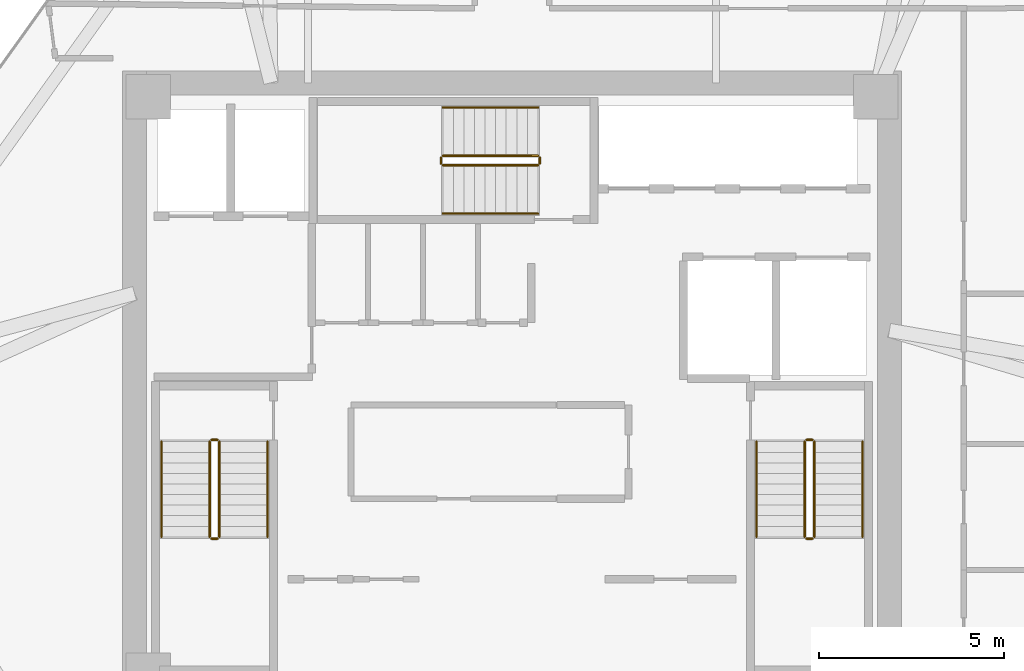
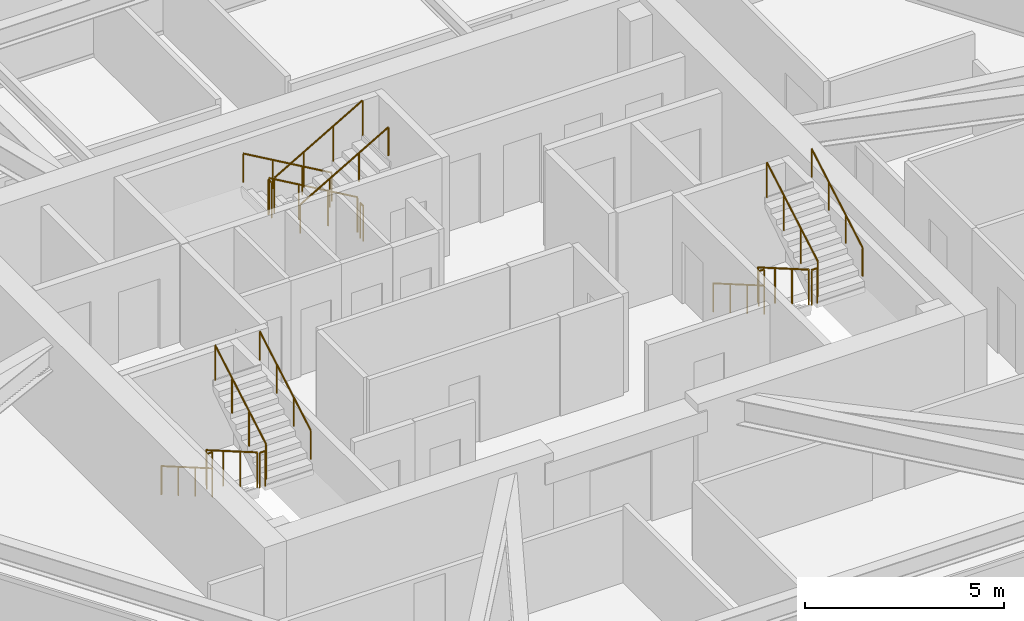
# One storey, part 13 of 13: 18 railings.
"""IFC4 building model written with IfcOpenShell, lengths in metres."""

from ifc_helpers import new_model, si_unit, direction, frame, origin, origin_2d, place, context, subcontext, project, spatial, circle, extrude, material, type_object, element, save


model = new_model("IFC4")

# Units and contexts
model_context = context("Model", 3, precision=1e-05, world=origin(), true_north=direction((0.0, 1.0)))
body_context = subcontext(model_context, "Body", "Model", "MODEL_VIEW")
ifc_project = project(units=[si_unit("LENGTHUNIT", "METRE"), si_unit("AREAUNIT", "SQUARE_METRE"), si_unit("VOLUMEUNIT", "CUBIC_METRE"), si_unit("PLANEANGLEUNIT", "RADIAN"), si_unit("MASSUNIT", "GRAM", prefix="KILO")], contexts=[model_context])

# Site, building, storey
site_placement = place(None, origin())
site = spatial("IfcSite", under=ifc_project, at=site_placement, CompositionType="ELEMENT")
building_placement = place(site_placement, origin())
building = spatial("IfcBuilding", under=site, at=building_placement, Name="Durnholm Broadcast Tower", CompositionType="ELEMENT")
storey_placement = place(building_placement, frame((0.0, 0.0, 167.199951171875)))
storey = spatial("IfcBuildingStorey", under=building, at=storey_placement, Name="L45", CompositionType="ELEMENT", Elevation=167.199951171875)

# Railings
ifc_material_1 = material(Name="Painted Tubular Steel Stair Guardrail", Category="steel")
railing_type_1 = type_object("IfcRailingType", Name="RAIL-ST-GRD", PredefinedType="GUARDRAIL", material=ifc_material_1)
railing_1_placement = place(storey_placement, frame((-8.14990234375, -1.5, 0.1650390625)))
element("IfcRailing", 1, at=railing_1_placement, inside=storey, type_object=railing_type_1, Name="L45 ST-1 stair guard 1", PredefinedType="GUARDRAIL", context=body_context, shape_type="SweptSolid", body=[
    extrude(circle(Radius=0.02392578125, at=origin_2d()), frame((0.0, 0.0, 1.076171875), z_axis=(0.0, -0.865405606168, 0.501071987656), x_axis=(1.0, 0.0, 0.0)), (0.0, 0.0, 1.0), 2.9638671875),
    extrude(circle(Radius=0.02099609375, at=origin_2d()), origin(), (0.0, 0.0, 1.0), 1.052001953125),
    extrude(circle(Radius=0.02099609375, at=origin_2d()), frame((0.0, -0.85498046875, 0.4951171875)), (0.0, 0.0, 1.0), 1.052001953125),
    extrude(circle(Radius=0.02099609375, at=origin_2d()), frame((0.0, -1.7099609375, 0.989990234375)), (0.0, 0.0, 1.0), 1.052001953125),
    extrude(circle(Radius=0.02099609375, at=origin_2d()), frame((0.0, -2.56494140625, 1.485107421875)), (0.0, 0.0, 1.0), 1.052001953125),
])
railing_2_placement = place(storey_placement, frame((-8.10009765625, -4.114990234375, 1.650146484375)))
element("IfcRailing", 2, at=railing_2_placement, inside=storey, type_object=railing_type_1, Name="L45 ST-1 stair guard 2", PredefinedType="GUARDRAIL", context=body_context, shape_type="SweptSolid", body=[
    extrude(circle(Radius=0.02392578125, at=origin_2d()), frame((0.0, 0.0, 1.076171875), z_axis=(1.0, 0.0, 0.0), x_axis=(0.0, 1.0, 0.0)), (0.0, 0.0, 1.0), 0.16015625),
    extrude(circle(Radius=0.02099609375, at=origin_2d()), origin(), (0.0, 0.0, 1.0), 1.052001953125),
    extrude(circle(Radius=0.02099609375, at=origin_2d()), frame((0.16015625, 0.0, 0.0)), (0.0, 0.0, 1.0), 1.052001953125),
])
railing_3_placement = place(storey_placement, frame((-7.889892578125, -4.06494140625, 1.81494140625)))
element("IfcRailing", 3, at=railing_3_placement, inside=storey, type_object=railing_type_1, Name="L45 ST-1 stair guard 3", PredefinedType="GUARDRAIL", context=body_context, shape_type="SweptSolid", body=[
    extrude(circle(Radius=0.02392578125, at=origin_2d()), frame((0.0, 0.0, 1.076171875), z_axis=(0.0, 0.865405606168, 0.501071987656), x_axis=(-1.0, 0.0, 0.0)), (0.0, 0.0, 1.0), 2.9638671875),
    extrude(circle(Radius=0.02099609375, at=origin_2d()), origin(), (0.0, 0.0, 1.0), 1.052001953125),
    extrude(circle(Radius=0.02099609375, at=origin_2d()), frame((0.0, 0.85498046875, 0.4951171875)), (0.0, 0.0, 1.0), 1.052001953125),
    extrude(circle(Radius=0.02099609375, at=origin_2d()), frame((0.0, 1.7099609375, 0.989990234375)), (0.0, 0.0, 1.0), 1.052001953125),
    extrude(circle(Radius=0.02099609375, at=origin_2d()), frame((0.0, 2.56494140625, 1.485107421875)), (0.0, 0.0, 1.0), 1.052001953125),
])
railing_4_placement = place(storey_placement, frame((-8.10009765625, -1.449951171875, 0.0)))
element("IfcRailing", 4, at=railing_4_placement, inside=storey, type_object=railing_type_1, Name="L45 ST-1 stair guard 4", PredefinedType="GUARDRAIL", context=body_context, shape_type="SweptSolid", body=[
    extrude(circle(Radius=0.02392578125, at=origin_2d()), frame((0.0, 0.0, 1.076171875), z_axis=(1.0, 0.0, 0.0), x_axis=(0.0, 1.0, 0.0)), (0.0, 0.0, 1.0), 0.16015625),
    extrude(circle(Radius=0.02099609375, at=origin_2d()), origin(), (0.0, 0.0, 1.0), 1.052001953125),
    extrude(circle(Radius=0.02099609375, at=origin_2d()), frame((0.16015625, 0.0, 0.0)), (0.0, 0.0, 1.0), 1.052001953125),
])
railing_5_placement = place(storey_placement, frame((7.889892578125, -1.5, 0.1650390625)))
element("IfcRailing", 5, at=railing_5_placement, inside=storey, type_object=railing_type_1, Name="L45 ST-2 stair guard 1", PredefinedType="GUARDRAIL", context=body_context, shape_type="SweptSolid", body=[
    extrude(circle(Radius=0.02392578125, at=origin_2d()), frame((0.0, 0.0, 1.076171875), z_axis=(0.0, -0.865405606168, 0.501071987656), x_axis=(1.0, 0.0, 0.0)), (0.0, 0.0, 1.0), 2.9638671875),
    extrude(circle(Radius=0.02099609375, at=origin_2d()), origin(), (0.0, 0.0, 1.0), 1.052001953125),
    extrude(circle(Radius=0.02099609375, at=origin_2d()), frame((0.0, -0.85498046875, 0.4951171875)), (0.0, 0.0, 1.0), 1.052001953125),
    extrude(circle(Radius=0.02099609375, at=origin_2d()), frame((0.0, -1.7099609375, 0.989990234375)), (0.0, 0.0, 1.0), 1.052001953125),
    extrude(circle(Radius=0.02099609375, at=origin_2d()), frame((0.0, -2.56494140625, 1.485107421875)), (0.0, 0.0, 1.0), 1.052001953125),
])
railing_6_placement = place(storey_placement, frame((7.93994140625, -4.114990234375, 1.650146484375)))
element("IfcRailing", 6, at=railing_6_placement, inside=storey, type_object=railing_type_1, Name="L45 ST-2 stair guard 2", PredefinedType="GUARDRAIL", context=body_context, shape_type="SweptSolid", body=[
    extrude(circle(Radius=0.02392578125, at=origin_2d()), frame((0.0, 0.0, 1.076171875), z_axis=(1.0, 0.0, 0.0), x_axis=(0.0, 1.0, 0.0)), (0.0, 0.0, 1.0), 0.16015625),
    extrude(circle(Radius=0.02099609375, at=origin_2d()), origin(), (0.0, 0.0, 1.0), 1.052001953125),
    extrude(circle(Radius=0.02099609375, at=origin_2d()), frame((0.16015625, 0.0, 0.0)), (0.0, 0.0, 1.0), 1.052001953125),
])
railing_7_placement = place(storey_placement, frame((8.14990234375, -4.06494140625, 1.81494140625)))
element("IfcRailing", 7, at=railing_7_placement, inside=storey, type_object=railing_type_1, Name="L45 ST-2 stair guard 3", PredefinedType="GUARDRAIL", context=body_context, shape_type="SweptSolid", body=[
    extrude(circle(Radius=0.02392578125, at=origin_2d()), frame((0.0, 0.0, 1.076171875), z_axis=(0.0, 0.865405606168, 0.501071987656), x_axis=(-1.0, 0.0, 0.0)), (0.0, 0.0, 1.0), 2.9638671875),
    extrude(circle(Radius=0.02099609375, at=origin_2d()), origin(), (0.0, 0.0, 1.0), 1.052001953125),
    extrude(circle(Radius=0.02099609375, at=origin_2d()), frame((0.0, 0.85498046875, 0.4951171875)), (0.0, 0.0, 1.0), 1.052001953125),
    extrude(circle(Radius=0.02099609375, at=origin_2d()), frame((0.0, 1.7099609375, 0.989990234375)), (0.0, 0.0, 1.0), 1.052001953125),
    extrude(circle(Radius=0.02099609375, at=origin_2d()), frame((0.0, 2.56494140625, 1.485107421875)), (0.0, 0.0, 1.0), 1.052001953125),
])
railing_8_placement = place(storey_placement, frame((7.93994140625, -1.449951171875, 0.0)))
element("IfcRailing", 8, at=railing_8_placement, inside=storey, type_object=railing_type_1, Name="L45 ST-2 stair guard 4", PredefinedType="GUARDRAIL", context=body_context, shape_type="SweptSolid", body=[
    extrude(circle(Radius=0.02392578125, at=origin_2d()), frame((0.0, 0.0, 1.076171875), z_axis=(1.0, 0.0, 0.0), x_axis=(0.0, 1.0, 0.0)), (0.0, 0.0, 1.0), 0.16015625),
    extrude(circle(Radius=0.02099609375, at=origin_2d()), origin(), (0.0, 0.0, 1.0), 1.052001953125),
    extrude(circle(Radius=0.02099609375, at=origin_2d()), frame((0.16015625, 0.0, 0.0)), (0.0, 0.0, 1.0), 1.052001953125),
])
railing_9_placement = place(storey_placement, frame((0.699951171875, 6.2099609375, 0.1650390625)))
element("IfcRailing", 9, at=railing_9_placement, inside=storey, type_object=railing_type_1, Name="L45 ST-3 stair guard 1", PredefinedType="GUARDRAIL", context=body_context, shape_type="SweptSolid", body=[
    extrude(circle(Radius=0.02392578125, at=origin_2d()), frame((0.0, 0.0, 1.076171875), z_axis=(-0.865405606168, 0.0, 0.501071987656), x_axis=(0.0, -1.0, 0.0)), (0.0, 0.0, 1.0), 2.9638671875),
    extrude(circle(Radius=0.02099609375, at=origin_2d()), origin(), (0.0, 0.0, 1.0), 1.052001953125),
    extrude(circle(Radius=0.02099609375, at=origin_2d()), frame((-0.85498046875, 0.0, 0.4951171875)), (0.0, 0.0, 1.0), 1.052001953125),
    extrude(circle(Radius=0.02099609375, at=origin_2d()), frame((-1.7099609375, 0.0, 0.989990234375)), (0.0, 0.0, 1.0), 1.052001953125),
    extrude(circle(Radius=0.02099609375, at=origin_2d()), frame((-2.56494140625, 0.0, 1.485107421875)), (0.0, 0.0, 1.0), 1.052001953125),
])
railing_10_placement = place(storey_placement, frame((-1.9150390625, 6.159912109375, 1.650146484375)))
element("IfcRailing", 10, at=railing_10_placement, inside=storey, type_object=railing_type_1, Name="L45 ST-3 stair guard 2", PredefinedType="GUARDRAIL", context=body_context, shape_type="SweptSolid", body=[
    extrude(circle(Radius=0.02392578125, at=origin_2d()), frame((0.0, 0.0, 1.076171875), z_axis=(0.0, -1.0, 0.0), x_axis=(1.0, 0.0, 0.0)), (0.0, 0.0, 1.0), 0.159912109375),
    extrude(circle(Radius=0.02099609375, at=origin_2d()), origin(), (0.0, 0.0, 1.0), 1.052001953125),
    extrude(circle(Radius=0.02099609375, at=origin_2d()), frame((0.0, -0.159912109375, 0.0)), (0.0, 0.0, 1.0), 1.052001953125),
])
railing_11_placement = place(storey_placement, frame((-1.864990234375, 5.949951171875, 1.81494140625)))
element("IfcRailing", 11, at=railing_11_placement, inside=storey, type_object=railing_type_1, Name="L45 ST-3 stair guard 3", PredefinedType="GUARDRAIL", context=body_context, shape_type="SweptSolid", body=[
    extrude(circle(Radius=0.02392578125, at=origin_2d()), frame((0.0, 0.0, 1.076171875), z_axis=(0.865405606168, 0.0, 0.501071987656), x_axis=(0.0, 1.0, 0.0)), (0.0, 0.0, 1.0), 2.9638671875),
    extrude(circle(Radius=0.02099609375, at=origin_2d()), origin(), (0.0, 0.0, 1.0), 1.052001953125),
    extrude(circle(Radius=0.02099609375, at=origin_2d()), frame((0.85498046875, 0.0, 0.4951171875)), (0.0, 0.0, 1.0), 1.052001953125),
    extrude(circle(Radius=0.02099609375, at=origin_2d()), frame((1.7099609375, 0.0, 0.989990234375)), (0.0, 0.0, 1.0), 1.052001953125),
    extrude(circle(Radius=0.02099609375, at=origin_2d()), frame((2.56494140625, 0.0, 1.485107421875)), (0.0, 0.0, 1.0), 1.052001953125),
])
railing_12_placement = place(storey_placement, frame((0.75, 6.159912109375, 0.0)))
element("IfcRailing", 12, at=railing_12_placement, inside=storey, type_object=railing_type_1, Name="L45 ST-3 stair guard 4", PredefinedType="GUARDRAIL", context=body_context, shape_type="SweptSolid", body=[
    extrude(circle(Radius=0.02392578125, at=origin_2d()), frame((0.0, 0.0, 1.076171875), z_axis=(0.0, -1.0, 0.0), x_axis=(1.0, 0.0, 0.0)), (0.0, 0.0, 1.0), 0.159912109375),
    extrude(circle(Radius=0.02099609375, at=origin_2d()), origin(), (0.0, 0.0, 1.0), 1.052001953125),
    extrude(circle(Radius=0.02099609375, at=origin_2d()), frame((0.0, -0.159912109375, 0.0)), (0.0, 0.0, 1.0), 1.052001953125),
])
ifc_material_2 = material(Name="Brushed Stainless Steel Handrail", Category="steel")
railing_type_2 = type_object("IfcRailingType", Name="RAIL-ST-HND", PredefinedType="HANDRAIL", material=ifc_material_2)
railing_13_placement = place(storey_placement, frame((-9.449951171875, -1.5, 0.330078125)))
element("IfcRailing", 13, at=railing_13_placement, inside=storey, type_object=railing_type_2, Name="L45 ST-1 stair handrail 1", PredefinedType="HANDRAIL", context=body_context, shape_type="SweptSolid", body=[
    extrude(circle(Radius=0.02392578125, at=origin_2d()), frame((0.0, 0.0, 0.8759765625), z_axis=(0.0, -0.865441324677, 0.50101029285), x_axis=(1.0, 0.0, 0.0)), (0.0, 0.0, 1.0), 2.963623046875),
    extrude(circle(Radius=0.02099609375, at=origin_2d()), origin(), (0.0, 0.0, 1.0), 0.851806640625),
    extrude(circle(Radius=0.02099609375, at=origin_2d()), frame((0.0, -0.85498046875, 0.494873046875)), (0.0, 0.0, 1.0), 0.851806640625),
    extrude(circle(Radius=0.02099609375, at=origin_2d()), frame((0.0, -1.7099609375, 0.989990234375)), (0.0, 0.0, 1.0), 0.851806640625),
    extrude(circle(Radius=0.02099609375, at=origin_2d()), frame((0.0, -2.56494140625, 1.48486328125)), (0.0, 0.0, 1.0), 0.851806640625),
])
railing_14_placement = place(storey_placement, frame((-6.590087890625, -4.06494140625, 1.97998046875)))
element("IfcRailing", 14, at=railing_14_placement, inside=storey, type_object=railing_type_2, Name="L45 ST-1 stair handrail 2", PredefinedType="HANDRAIL", context=body_context, shape_type="SweptSolid", body=[
    extrude(circle(Radius=0.02392578125, at=origin_2d()), frame((0.0, 0.0, 0.8759765625), z_axis=(0.0, 0.865405606168, 0.501071987656), x_axis=(-1.0, 0.0, 0.0)), (0.0, 0.0, 1.0), 2.9638671875),
    extrude(circle(Radius=0.02099609375, at=origin_2d()), origin(), (0.0, 0.0, 1.0), 0.851806640625),
    extrude(circle(Radius=0.02099609375, at=origin_2d()), frame((0.0, 0.85498046875, 0.4951171875)), (0.0, 0.0, 1.0), 0.851806640625),
    extrude(circle(Radius=0.02099609375, at=origin_2d()), frame((0.0, 1.7099609375, 0.989990234375)), (0.0, 0.0, 1.0), 0.851806640625),
    extrude(circle(Radius=0.02099609375, at=origin_2d()), frame((0.0, 2.56494140625, 1.485107421875)), (0.0, 0.0, 1.0), 0.851806640625),
])
railing_15_placement = place(storey_placement, frame((6.590087890625, -1.5, 0.330078125)))
element("IfcRailing", 15, at=railing_15_placement, inside=storey, type_object=railing_type_2, Name="L45 ST-2 stair handrail 1", PredefinedType="HANDRAIL", context=body_context, shape_type="SweptSolid", body=[
    extrude(circle(Radius=0.02392578125, at=origin_2d()), frame((0.0, 0.0, 0.8759765625), z_axis=(0.0, -0.865441324677, 0.50101029285), x_axis=(1.0, 0.0, 0.0)), (0.0, 0.0, 1.0), 2.963623046875),
    extrude(circle(Radius=0.02099609375, at=origin_2d()), origin(), (0.0, 0.0, 1.0), 0.851806640625),
    extrude(circle(Radius=0.02099609375, at=origin_2d()), frame((0.0, -0.85498046875, 0.494873046875)), (0.0, 0.0, 1.0), 0.851806640625),
    extrude(circle(Radius=0.02099609375, at=origin_2d()), frame((0.0, -1.7099609375, 0.989990234375)), (0.0, 0.0, 1.0), 0.851806640625),
    extrude(circle(Radius=0.02099609375, at=origin_2d()), frame((0.0, -2.56494140625, 1.48486328125)), (0.0, 0.0, 1.0), 0.851806640625),
])
railing_16_placement = place(storey_placement, frame((9.449951171875, -4.06494140625, 1.97998046875)))
element("IfcRailing", 16, at=railing_16_placement, inside=storey, type_object=railing_type_2, Name="L45 ST-2 stair handrail 2", PredefinedType="HANDRAIL", context=body_context, shape_type="SweptSolid", body=[
    extrude(circle(Radius=0.02392578125, at=origin_2d()), frame((0.0, 0.0, 0.8759765625), z_axis=(0.0, 0.865405606168, 0.501071987656), x_axis=(-1.0, 0.0, 0.0)), (0.0, 0.0, 1.0), 2.9638671875),
    extrude(circle(Radius=0.02099609375, at=origin_2d()), origin(), (0.0, 0.0, 1.0), 0.851806640625),
    extrude(circle(Radius=0.02099609375, at=origin_2d()), frame((0.0, 0.85498046875, 0.4951171875)), (0.0, 0.0, 1.0), 0.851806640625),
    extrude(circle(Radius=0.02099609375, at=origin_2d()), frame((0.0, 1.7099609375, 0.989990234375)), (0.0, 0.0, 1.0), 0.851806640625),
    extrude(circle(Radius=0.02099609375, at=origin_2d()), frame((0.0, 2.56494140625, 1.485107421875)), (0.0, 0.0, 1.0), 0.851806640625),
])
railing_17_placement = place(storey_placement, frame((0.699951171875, 7.510009765625, 0.330078125)))
element("IfcRailing", 17, at=railing_17_placement, inside=storey, type_object=railing_type_2, Name="L45 ST-3 stair handrail 1", PredefinedType="HANDRAIL", context=body_context, shape_type="SweptSolid", body=[
    extrude(circle(Radius=0.02392578125, at=origin_2d()), frame((0.0, 0.0, 0.8759765625), z_axis=(-0.865441324677, 0.0, 0.50101029285), x_axis=(0.0, -1.0, 0.0)), (0.0, 0.0, 1.0), 2.963623046875),
    extrude(circle(Radius=0.02099609375, at=origin_2d()), origin(), (0.0, 0.0, 1.0), 0.851806640625),
    extrude(circle(Radius=0.02099609375, at=origin_2d()), frame((-0.85498046875, 0.0, 0.494873046875)), (0.0, 0.0, 1.0), 0.851806640625),
    extrude(circle(Radius=0.02099609375, at=origin_2d()), frame((-1.7099609375, 0.0, 0.989990234375)), (0.0, 0.0, 1.0), 0.851806640625),
    extrude(circle(Radius=0.02099609375, at=origin_2d()), frame((-2.56494140625, 0.0, 1.48486328125)), (0.0, 0.0, 1.0), 0.851806640625),
])
railing_18_placement = place(storey_placement, frame((-1.864990234375, 4.64990234375, 1.97998046875)))
element("IfcRailing", 18, at=railing_18_placement, inside=storey, type_object=railing_type_2, Name="L45 ST-3 stair handrail 2", PredefinedType="HANDRAIL", context=body_context, shape_type="SweptSolid", body=[
    extrude(circle(Radius=0.02392578125, at=origin_2d()), frame((0.0, 0.0, 0.8759765625), z_axis=(0.865405606168, 0.0, 0.501071987656), x_axis=(0.0, 1.0, 0.0)), (0.0, 0.0, 1.0), 2.9638671875),
    extrude(circle(Radius=0.02099609375, at=origin_2d()), origin(), (0.0, 0.0, 1.0), 0.851806640625),
    extrude(circle(Radius=0.02099609375, at=origin_2d()), frame((0.85498046875, 0.0, 0.4951171875)), (0.0, 0.0, 1.0), 0.851806640625),
    extrude(circle(Radius=0.02099609375, at=origin_2d()), frame((1.7099609375, 0.0, 0.989990234375)), (0.0, 0.0, 1.0), 0.851806640625),
    extrude(circle(Radius=0.02099609375, at=origin_2d()), frame((2.56494140625, 0.0, 1.485107421875)), (0.0, 0.0, 1.0), 0.851806640625),
])

save(model, "model.ifc")
